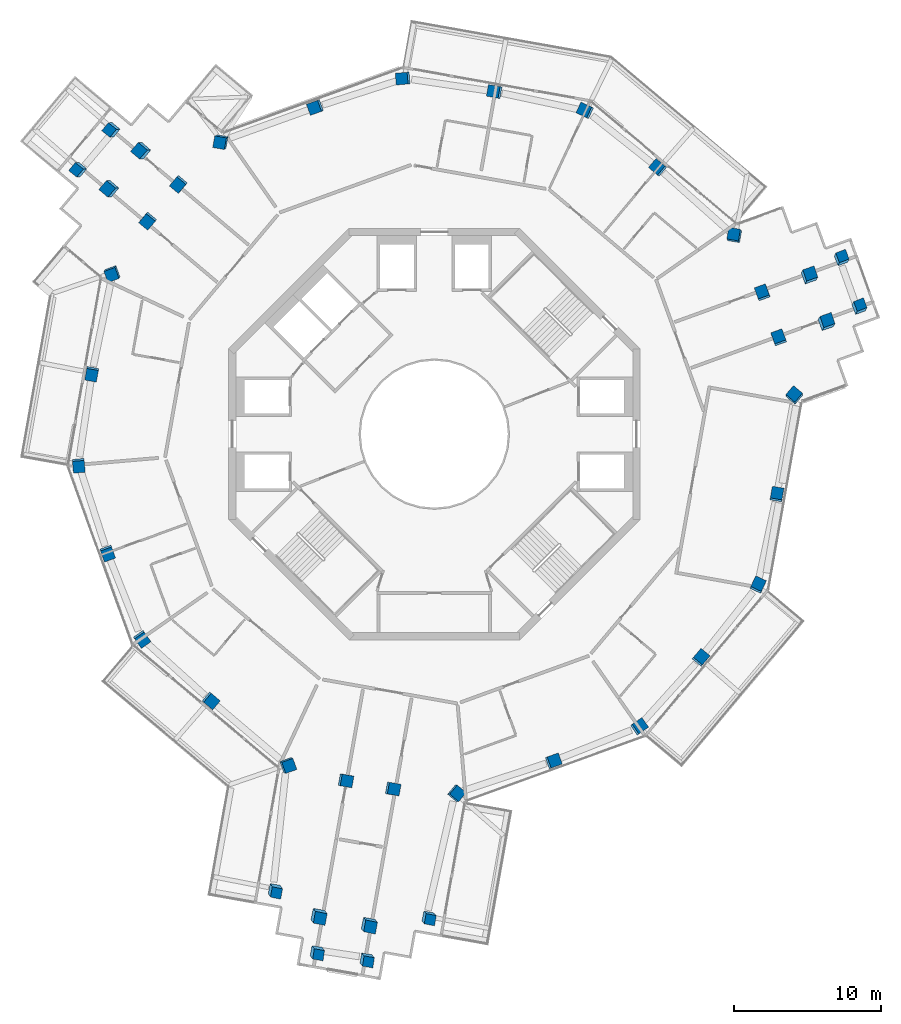
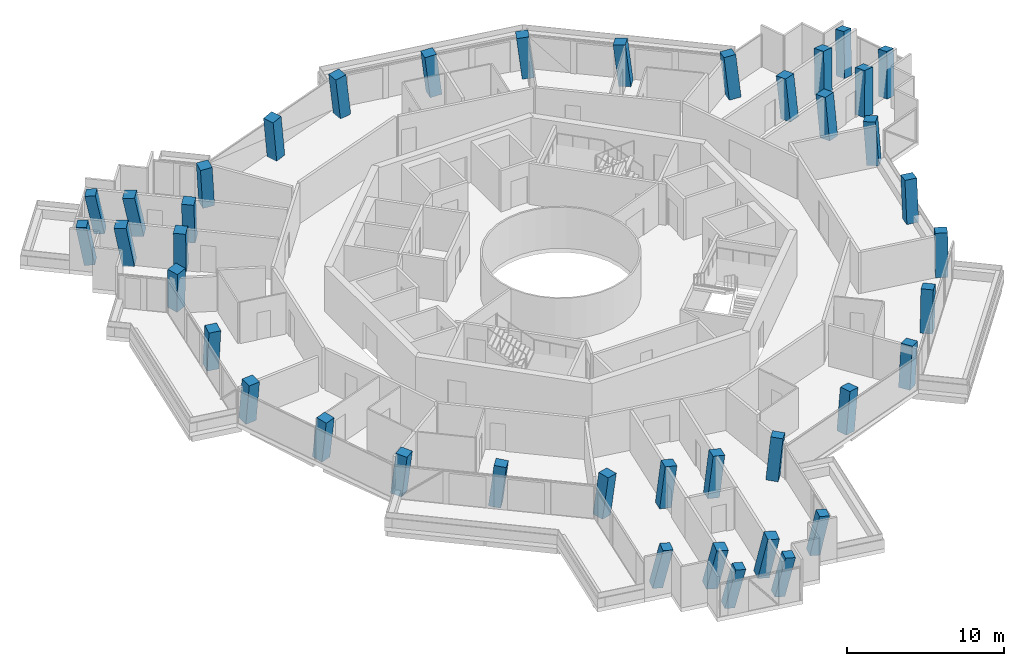
# One storey, part 1 of 22: 41 columns.
"""IFC4 building model written with IfcOpenShell, lengths in metres."""

from ifc_helpers import new_model, si_unit, direction, frame, origin, origin_2d, place, context, subcontext, project, spatial, rectangle, extrude, material, material_profile, profile_set, type_object, element, save


model = new_model("IFC4")

# Units and contexts
model_context = context("Model", 3, precision=1e-05, world=origin(), true_north=direction((0.0, 1.0)))
body_context = subcontext(model_context, "Body", "Model", "MODEL_VIEW")
ifc_project = project(units=[si_unit("LENGTHUNIT", "METRE"), si_unit("AREAUNIT", "SQUARE_METRE"), si_unit("VOLUMEUNIT", "CUBIC_METRE"), si_unit("PLANEANGLEUNIT", "RADIAN"), si_unit("MASSUNIT", "GRAM", prefix="KILO")], contexts=[model_context])

# Site, building, storey
site_placement = place(None, origin())
site = spatial("IfcSite", under=ifc_project, at=site_placement, CompositionType="ELEMENT")
building_placement = place(site_placement, origin())
building = spatial("IfcBuilding", under=site, at=building_placement, Name="Verdalira Terraces Hotel", CompositionType="ELEMENT")
storey_placement = place(building_placement, frame((0.0, 0.0, 237.5)))
storey = spatial("IfcBuildingStorey", under=building, at=storey_placement, Name="L58", CompositionType="ELEMENT", Elevation=237.5)

# Columns
ifc_material_1 = material(Name="Concrete C50", Category="concrete")
ifc_material_profile_1 = material_profile(ifc_material_1, rectangle(XDim=0.699951, YDim=0.699951, at=origin_2d()), Name="RC 700X700")
ifc_profile_set_1 = profile_set([ifc_material_profile_1], Name="Concrete C50")
column_type_1 = type_object("IfcColumnType", Name="Column RC 700X700 C50", PredefinedType="COLUMN", material=ifc_profile_set_1)
for number, where, z_axis, x_axis, name in (
    (1, (-10.887939, -30.966797, 0.0), (0.121005735, -0.196736709, 0.972960574), (-0.199084249, -0.965057766, -0.1703789), "Column C08"),
    (2, (-8.043213, -35.189941, 0.0), (0.140588021, -0.183330354, 0.97294655), (0.974838678, -0.146068773, -0.168384872), "Column C09"),
):
    element("IfcColumn", number, at=place(storey_placement, frame(where, z_axis=z_axis, x_axis=x_axis)), inside=storey, type_object=column_type_1, Name=name, PredefinedType="COLUMN", context=body_context, shape_type="SweptSolid", body=[
        extrude(rectangle(XDim=0.699951, YDim=0.699951, at=origin_2d()), origin(), (0.0, 0.0, 1.0), 3.278564),
    ])
column_1_placement = place(storey_placement, frame((-4.658447, -35.690186, 0.0), z_axis=(0.143102247, -0.167885735, 0.975364612), x_axis=(0.97441255, -0.148690962, -0.168556164)))
element("IfcColumn", 3, at=column_1_placement, inside=storey, type_object=column_type_1, Name="Column C10", PredefinedType="COLUMN", context=body_context, shape_type="SweptSolid", body=[
    extrude(rectangle(XDim=0.699951, YDim=0.699951, at=origin_2d()), origin(), (0.0, 0.0, 1.0), 3.270508),
])
column_2_placement = place(storey_placement, frame((-0.435303, -32.845459, 0.0), z_axis=(0.130310209, -0.148990257, 0.98021485), x_axis=(0.192626153, 0.973611123, 0.122378698)))
element("IfcColumn", 4, at=column_2_placement, inside=storey, type_object=column_type_1, Name="Column C11", PredefinedType="COLUMN", context=body_context, shape_type="SweptSolid", body=[
    extrude(rectangle(XDim=0.699951, YDim=0.699951, at=origin_2d()), origin(), (0.0, 0.0, 1.0), 3.254395),
])
column_3_placement = place(storey_placement, frame((28.856201, 8.585205, 0.0), z_axis=(0.09857318, 0.188021983, 0.977205742), x_axis=(-0.358606577, 0.92272267, -0.141365477)))
element("IfcColumn", 5, at=column_3_placement, inside=storey, type_object=column_type_1, Name="Column C19", PredefinedType="COLUMN", context=body_context, shape_type="SweptSolid", body=[
    extrude(rectangle(XDim=0.699951, YDim=0.699951, at=origin_2d()), origin(), (0.0, 0.0, 1.0), 3.264404),
])
column_4_placement = place(storey_placement, frame((27.656738, 11.894531, 0.0), z_axis=(0.083372314, 0.182714325, 0.97962469), x_axis=(-0.356285296, 0.923534784, -0.141930585)))
element("IfcColumn", 6, at=column_4_placement, inside=storey, type_object=column_type_1, Name="Column C20", PredefinedType="COLUMN", context=body_context, shape_type="SweptSolid", body=[
    extrude(rectangle(XDim=0.699951, YDim=0.699951, at=origin_2d()), origin(), (0.0, 0.0, 1.0), 3.256348),
])
column_5_placement = place(storey_placement, frame((-21.863037, 20.69751, 0.0), z_axis=(-0.212105065, -0.008600875, 0.977209019), x_axis=(-0.619955277, -0.771799259, -0.141355432)))
element("IfcColumn", 7, at=column_5_placement, inside=storey, type_object=column_type_1, Name="Column C28", PredefinedType="COLUMN", context=body_context, shape_type="SweptSolid", body=[
    extrude(rectangle(XDim=0.699951, YDim=0.699951, at=origin_2d()), origin(), (0.0, 0.0, 1.0), 3.264404),
])
column_6_placement = place(storey_placement, frame((-24.129395, 18.00415, 0.0), z_axis=(-0.199957249, -0.019118522, 0.979618079), x_axis=(-0.621808188, -0.770197259, -0.141953371)))
element("IfcColumn", 8, at=column_6_placement, inside=storey, type_object=column_type_1, Name="Column C29", PredefinedType="COLUMN", context=body_context, shape_type="SweptSolid", body=[
    extrude(rectangle(XDim=0.699951, YDim=0.699951, at=origin_2d()), origin(), (0.0, 0.0, 1.0), 3.256348),
])
ifc_material_2 = material(Name="Concrete C50", Category="concrete")
ifc_material_profile_2 = material_profile(ifc_material_2, rectangle(XDim=0.800049, YDim=0.800049, at=origin_2d()), Name="RC 800X800")
ifc_profile_set_2 = profile_set([ifc_material_profile_2], Name="Concrete C50")
column_type_2 = type_object("IfcColumnType", Name="Column RC 800X800 C50", PredefinedType="COLUMN", material=ifc_profile_set_2)
column_7_placement = place(storey_placement, frame((-21.899414, 10.952393, 0.0), z_axis=(-0.051233202, -0.104594786, 0.993194387), x_axis=(-0.345877512, 0.934811029, 0.08060451)))
element("IfcColumn", 9, at=column_7_placement, inside=storey, type_object=column_type_2, Name="Column C01", PredefinedType="COLUMN", context=body_context, shape_type="SweptSolid", body=[
    extrude(rectangle(XDim=0.800049, YDim=0.800049, at=origin_2d()), origin(), (0.0, 0.0, 1.0), 3.211914),
])
column_8_placement = place(storey_placement, frame((-23.293213, 4.140869, 0.0), z_axis=(-0.018783788, -0.111029677, 0.993639562), x_axis=(-0.174054393, -0.978276827, -0.112603368)))
element("IfcColumn", 10, at=column_8_placement, inside=storey, type_object=column_type_2, Name="Column C02", PredefinedType="COLUMN", context=body_context, shape_type="SweptSolid", body=[
    extrude(rectangle(XDim=0.800049, YDim=0.800049, at=origin_2d()), origin(), (0.0, 0.0, 1.0), 3.210449),
])
column_9_placement = place(storey_placement, frame((-24.196289, -2.083008, 0.0), z_axis=(0.010795228, -0.114946373, 0.993313039), x_axis=(-0.084478949, 0.98971463, 0.115448074)))
element("IfcColumn", 11, at=column_9_placement, inside=storey, type_object=column_type_2, Name="Column C03", PredefinedType="COLUMN", context=body_context, shape_type="SweptSolid", body=[
    extrude(rectangle(XDim=0.800049, YDim=0.800049, at=origin_2d()), origin(), (0.0, 0.0, 1.0), 3.211426),
])
column_10_placement = place(storey_placement, frame((-22.24292, -8.060547, 0.0), z_axis=(0.039240919, -0.105478981, 0.993646987), x_axis=(0.338548583, -0.93419489, -0.112537837)))
element("IfcColumn", 12, at=column_10_placement, inside=storey, type_object=column_type_2, Name="Column C04", PredefinedType="COLUMN", context=body_context, shape_type="SweptSolid", body=[
    extrude(rectangle(XDim=0.800049, YDim=0.800049, at=origin_2d()), origin(), (0.0, 0.0, 1.0), 3.210449),
])
column_11_placement = place(storey_placement, frame((-19.913086, -13.9021, 0.0), z_axis=(0.066824181, -0.094116423, 0.993315976), x_axis=(-0.568164298, 0.814780281, 0.115422808)))
element("IfcColumn", 13, at=column_11_placement, inside=storey, type_object=column_type_2, Name="Column C05", PredefinedType="COLUMN", context=body_context, shape_type="SweptSolid", body=[
    extrude(rectangle(XDim=0.800049, YDim=0.800049, at=origin_2d()), origin(), (0.0, 0.0, 1.0), 3.211426),
])
column_12_placement = place(storey_placement, frame((-15.232666, -18.102051, 0.0), z_axis=(0.086770351, -0.071788967, 0.99363839), x_axis=(0.760182292, -0.639875796, -0.112613711)))
element("IfcColumn", 14, at=column_12_placement, inside=storey, type_object=column_type_2, Name="Column C06", PredefinedType="COLUMN", context=body_context, shape_type="SweptSolid", body=[
    extrude(rectangle(XDim=0.800049, YDim=0.800049, at=origin_2d()), origin(), (0.0, 0.0, 1.0), 3.210449),
])
column_13_placement = place(storey_placement, frame((-9.994141, -22.510254, 0.0), z_axis=(0.107474763, -0.046592666, 0.993115451), x_axis=(-0.333513819, 0.939330914, 0.08016213)))
element("IfcColumn", 15, at=column_13_placement, inside=storey, type_object=column_type_2, Name="Column C07", PredefinedType="COLUMN", context=body_context, shape_type="SweptSolid", body=[
    extrude(rectangle(XDim=0.800049, YDim=0.800049, at=origin_2d()), origin(), (0.0, 0.0, 1.0), 3.212158),
])
column_14_placement = place(storey_placement, frame((1.464844, -24.44165, 0.0), z_axis=(0.11614948, 0.007981476, 0.993199675), x_axis=(-0.636262461, -0.76725356, 0.080573294)))
element("IfcColumn", 16, at=column_14_placement, inside=storey, type_object=column_type_2, Name="Column C12", PredefinedType="COLUMN", context=body_context, shape_type="SweptSolid", body=[
    extrude(rectangle(XDim=0.800049, YDim=0.800049, at=origin_2d()), origin(), (0.0, 0.0, 1.0), 3.21167),
])
column_15_placement = place(storey_placement, frame((8.060547, -22.24292, 0.0), z_axis=(0.105478981, 0.039240919, 0.993646987), x_axis=(0.93419489, 0.338548583, -0.112537837)))
element("IfcColumn", 17, at=column_15_placement, inside=storey, type_object=column_type_2, Name="Column C13", PredefinedType="COLUMN", context=body_context, shape_type="SweptSolid", body=[
    extrude(rectangle(XDim=0.800049, YDim=0.800049, at=origin_2d()), origin(), (0.0, 0.0, 1.0), 3.210449),
])
column_16_placement = place(storey_placement, frame((13.9021, -19.913086, 0.0), z_axis=(0.094116423, 0.066824181, 0.993315976), x_axis=(-0.814780281, -0.568164298, 0.115422808)))
element("IfcColumn", 18, at=column_16_placement, inside=storey, type_object=column_type_2, Name="Column C14", PredefinedType="COLUMN", context=body_context, shape_type="SweptSolid", body=[
    extrude(rectangle(XDim=0.800049, YDim=0.800049, at=origin_2d()), origin(), (0.0, 0.0, 1.0), 3.211426),
])
column_17_placement = place(storey_placement, frame((18.102051, -15.232666, 0.0), z_axis=(0.071788967, 0.086770351, 0.99363839), x_axis=(0.639875796, 0.760182292, -0.112613711)))
element("IfcColumn", 19, at=column_17_placement, inside=storey, type_object=column_type_2, Name="Column C15", PredefinedType="COLUMN", context=body_context, shape_type="SweptSolid", body=[
    extrude(rectangle(XDim=0.800049, YDim=0.800049, at=origin_2d()), origin(), (0.0, 0.0, 1.0), 3.210449),
])
column_18_placement = place(storey_placement, frame((21.996094, -10.294434, 0.0), z_axis=(0.048046329, 0.104987311, 0.993312244), x_axis=(-0.421003944, -0.899680967, 0.115454914)))
element("IfcColumn", 20, at=column_18_placement, inside=storey, type_object=column_type_2, Name="Column C16", PredefinedType="COLUMN", context=body_context, shape_type="SweptSolid", body=[
    extrude(rectangle(XDim=0.800049, YDim=0.800049, at=origin_2d()), origin(), (0.0, 0.0, 1.0), 3.211426),
])
column_19_placement = place(storey_placement, frame((23.293213, -4.140869, 0.0), z_axis=(0.018783788, 0.111029677, 0.993639562), x_axis=(0.174054393, 0.978276827, -0.112603368)))
element("IfcColumn", 21, at=column_19_placement, inside=storey, type_object=column_type_2, Name="Column C17", PredefinedType="COLUMN", context=body_context, shape_type="SweptSolid", body=[
    extrude(rectangle(XDim=0.800049, YDim=0.800049, at=origin_2d()), origin(), (0.0, 0.0, 1.0), 3.210449),
])
for number, where, z_axis, x_axis, name in (
    (22, (24.491455, 2.600098, 0.0), (-0.013377467, 0.11629275, 0.993124886), (-0.646728988, -0.758501434, 0.08010737), "Column C18"),
    (23, (20.434814, 13.489258, 0.0), (-0.064991418, 0.096688987, 0.993190493), (0.982520819, -0.167785723, 0.080627487), "Column C21"),
):
    element("IfcColumn", number, at=place(storey_placement, frame(where, z_axis=z_axis, x_axis=x_axis)), inside=storey, type_object=column_type_2, Name=name, PredefinedType="COLUMN", context=body_context, shape_type="SweptSolid", body=[
        extrude(rectangle(XDim=0.800049, YDim=0.800049, at=origin_2d()), origin(), (0.0, 0.0, 1.0), 3.211914),
    ])
column_20_placement = place(storey_placement, frame((15.232666, 18.102051, 0.0), z_axis=(-0.086770351, 0.071788967, 0.99363839), x_axis=(-0.760182292, 0.639875796, -0.112613711)))
element("IfcColumn", 24, at=column_20_placement, inside=storey, type_object=column_type_2, Name="Column C22", PredefinedType="COLUMN", context=body_context, shape_type="SweptSolid", body=[
    extrude(rectangle(XDim=0.800049, YDim=0.800049, at=origin_2d()), origin(), (0.0, 0.0, 1.0), 3.210449),
])
column_21_placement = place(storey_placement, frame((10.294434, 21.996094, 0.0), z_axis=(-0.104987311, 0.048046329, 0.993312244), x_axis=(0.899680967, -0.421003944, 0.115454914)))
element("IfcColumn", 25, at=column_21_placement, inside=storey, type_object=column_type_2, Name="Column C23", PredefinedType="COLUMN", context=body_context, shape_type="SweptSolid", body=[
    extrude(rectangle(XDim=0.800049, YDim=0.800049, at=origin_2d()), origin(), (0.0, 0.0, 1.0), 3.211426),
])
column_22_placement = place(storey_placement, frame((4.140869, 23.293213, 0.0), z_axis=(-0.111029677, 0.018783788, 0.993639562), x_axis=(-0.978276827, 0.174054393, -0.112603368)))
element("IfcColumn", 26, at=column_22_placement, inside=storey, type_object=column_type_2, Name="Column C24", PredefinedType="COLUMN", context=body_context, shape_type="SweptSolid", body=[
    extrude(rectangle(XDim=0.800049, YDim=0.800049, at=origin_2d()), origin(), (0.0, 0.0, 1.0), 3.210449),
])
column_23_placement = place(storey_placement, frame((-2.083008, 24.196289, 0.0), z_axis=(-0.114946373, -0.010795228, 0.993313039), x_axis=(0.98971463, 0.084478949, 0.115448074)))
element("IfcColumn", 27, at=column_23_placement, inside=storey, type_object=column_type_2, Name="Column C25", PredefinedType="COLUMN", context=body_context, shape_type="SweptSolid", body=[
    extrude(rectangle(XDim=0.800049, YDim=0.800049, at=origin_2d()), origin(), (0.0, 0.0, 1.0), 3.211426),
])
column_24_placement = place(storey_placement, frame((-8.060547, 22.24292, 0.0), z_axis=(-0.105478981, -0.039240919, 0.993646987), x_axis=(-0.93419489, -0.338548583, -0.112537837)))
element("IfcColumn", 28, at=column_24_placement, inside=storey, type_object=column_type_2, Name="Column C26", PredefinedType="COLUMN", context=body_context, shape_type="SweptSolid", body=[
    extrude(rectangle(XDim=0.800049, YDim=0.800049, at=origin_2d()), origin(), (0.0, 0.0, 1.0), 3.210449),
])
column_25_placement = place(storey_placement, frame((-14.497314, 19.910156, 0.0), z_axis=(-0.094097867, -0.069699308, 0.993120133), x_axis=(0.980134973, -0.18142167, 0.080134963)))
element("IfcColumn", 29, at=column_25_placement, inside=storey, type_object=column_type_2, Name="Column C27", PredefinedType="COLUMN", context=body_context, shape_type="SweptSolid", body=[
    extrude(rectangle(XDim=0.800049, YDim=0.800049, at=origin_2d()), origin(), (0.0, 0.0, 1.0), 3.212158),
])
for number, where, z_axis, x_axis, name in (
    (30, (-17.365967, 17.039307, 0.0), (-0.080278185, -0.083243004, 0.993290499), (-0.764706208, 0.644331817, -0.007805481), "Column C30"),
    (31, (-19.462646, 14.547607, 0.0), (-0.06834394, -0.093127171, 0.993305812), (-0.765947031, 0.642859109, 0.00757049), "Column C31"),
):
    element("IfcColumn", number, at=place(storey_placement, frame(where, z_axis=z_axis, x_axis=x_axis)), inside=storey, type_object=column_type_2, Name=name, PredefinedType="COLUMN", context=body_context, shape_type="SweptSolid", body=[
        extrude(rectangle(XDim=0.800049, YDim=0.800049, at=origin_2d()), origin(), (0.0, 0.0, 1.0), 3.211426),
    ])
column_26_placement = place(storey_placement, frame((-19.843262, 19.2771, 0.0), z_axis=(-0.20588585, 0.000823843, 0.978575668), x_axis=(-0.742112726, 0.65170449, -0.156684267)))
element("IfcColumn", 32, at=column_26_placement, inside=storey, type_object=column_type_2, Name="Column C32", PredefinedType="COLUMN", context=body_context, shape_type="SweptSolid", body=[
    extrude(rectangle(XDim=0.800049, YDim=0.800049, at=origin_2d()), origin(), (0.0, 0.0, 1.0), 3.259766),
])
column_27_placement = place(storey_placement, frame((-22.015381, 16.695801, 0.0), z_axis=(-0.194071634, -0.009234356, 0.980943896), x_axis=(-0.745162414, 0.651744147, -0.141288865)))
element("IfcColumn", 33, at=column_27_placement, inside=storey, type_object=column_type_2, Name="Column C33", PredefinedType="COLUMN", context=body_context, shape_type="SweptSolid", body=[
    extrude(rectangle(XDim=0.800049, YDim=0.800049, at=origin_2d()), origin(), (0.0, 0.0, 1.0), 3.251953),
])
for number, where, z_axis, x_axis, name in (
    (34, (-6.073486, -23.559082, 0.0), (0.112282362, -0.027899544, 0.993284595), (-0.175531093, -0.984442917, -0.007808903), "Column C34"),
    (35, (-2.867432, -24.128906, 0.0), (0.11486879, -0.012695624, 0.993299543), (-0.174321859, -0.984659598, 0.007574022), "Column C35"),
):
    element("IfcColumn", number, at=place(storey_placement, frame(where, z_axis=z_axis, x_axis=x_axis)), inside=storey, type_object=column_type_2, Name=name, PredefinedType="COLUMN", context=body_context, shape_type="SweptSolid", body=[
        extrude(rectangle(XDim=0.800049, YDim=0.800049, at=origin_2d()), origin(), (0.0, 0.0, 1.0), 3.211426),
    ])
column_28_placement = place(storey_placement, frame((-7.921875, -32.712891, 0.0), z_axis=(0.129257982, -0.183183845, 0.974544023), x_axis=(-0.198095354, -0.967748335, -0.155632226)))
element("IfcColumn", 36, at=column_28_placement, inside=storey, type_object=column_type_2, Name="Column C36", PredefinedType="COLUMN", context=body_context, shape_type="SweptSolid", body=[
    extrude(rectangle(XDim=0.800049, YDim=0.800049, at=origin_2d()), origin(), (0.0, 0.0, 1.0), 3.273193),
])
column_29_placement = place(storey_placement, frame((-4.501465, -33.321045, 0.0), z_axis=(0.132268643, -0.167560219, 0.976948606), x_axis=(-0.195906892, -0.97058532, -0.13994508)))
element("IfcColumn", 37, at=column_29_placement, inside=storey, type_object=column_type_2, Name="Column C37", PredefinedType="COLUMN", context=body_context, shape_type="SweptSolid", body=[
    extrude(rectangle(XDim=0.800049, YDim=0.800049, at=origin_2d()), origin(), (0.0, 0.0, 1.0), 3.265137),
])
for number, where, z_axis, x_axis, name in (
    (38, (23.439453, 6.519531, 0.0), (-0.031928583, 0.111217897, 0.993283013), (0.940485178, 0.339744958, -0.007809819), "Column C38"),
    (39, (22.329834, 9.581299, 0.0), (-0.046373777, 0.105747417, 0.993311108), (0.939985127, 0.34113149, 0.007567505), "Column C39"),
):
    element("IfcColumn", number, at=place(storey_placement, frame(where, z_axis=z_axis, x_axis=x_axis)), inside=storey, type_object=column_type_2, Name=name, PredefinedType="COLUMN", context=body_context, shape_type="SweptSolid", body=[
        extrude(rectangle(XDim=0.800049, YDim=0.800049, at=origin_2d()), origin(), (0.0, 0.0, 1.0), 3.211426),
    ])
column_30_placement = place(storey_placement, frame((26.615967, 7.546387, 0.0), z_axis=(0.103730199, 0.1778018, 0.978583959), x_axis=(0.935618909, 0.316349009, -0.156654273)))
element("IfcColumn", 40, at=column_30_placement, inside=storey, type_object=column_type_2, Name="Column C40", PredefinedType="COLUMN", context=body_context, shape_type="SweptSolid", body=[
    extrude(rectangle(XDim=0.800049, YDim=0.800049, at=origin_2d()), origin(), (0.0, 0.0, 1.0), 3.259766),
])
column_31_placement = place(storey_placement, frame((25.466553, 10.718018, 0.0), z_axis=(0.089114886, 0.172674169, 0.980939432), x_axis=(0.937128595, 0.319096885, -0.141305256)))
element("IfcColumn", 41, at=column_31_placement, inside=storey, type_object=column_type_2, Name="Column C41", PredefinedType="COLUMN", context=body_context, shape_type="SweptSolid", body=[
    extrude(rectangle(XDim=0.800049, YDim=0.800049, at=origin_2d()), origin(), (0.0, 0.0, 1.0), 3.251953),
])

save(model, "model.ifc")
